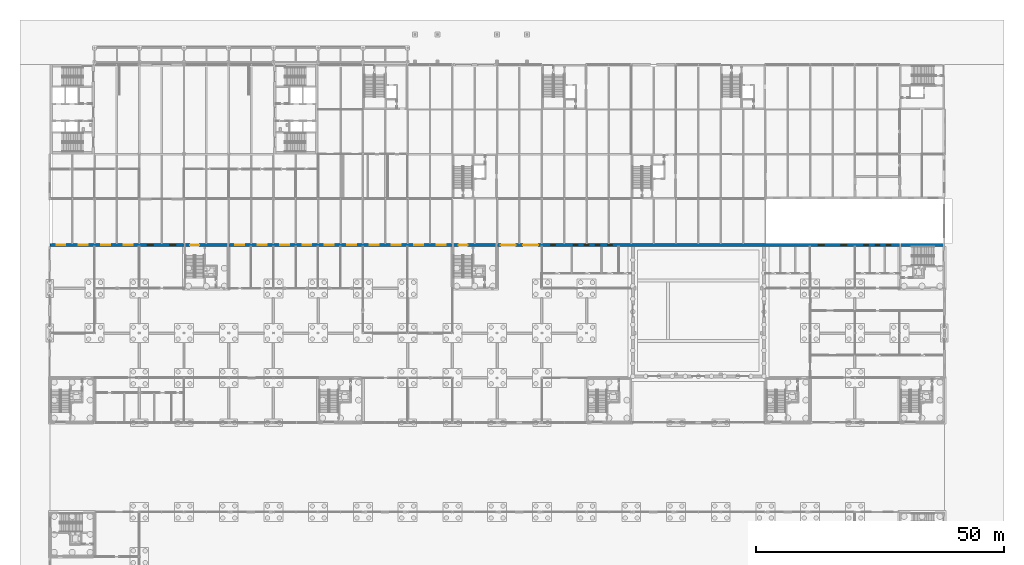
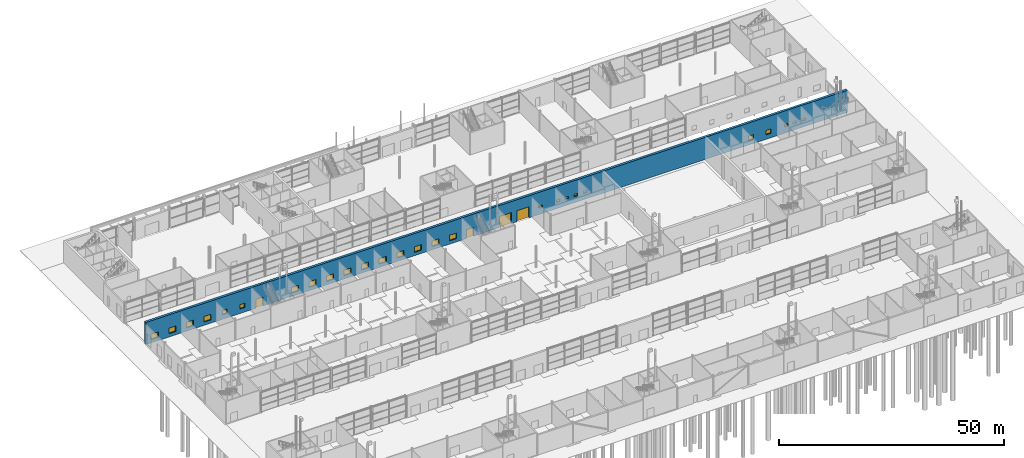
# One storey, part 70 of 97: 26 windows, 4 doors, 1 wall, 30 openings.
"""IFC4 building model written with IfcOpenShell, lengths in metres."""

from ifc_helpers import new_model, si_unit, direction, frame, frame_2d, origin, place, context, subcontext, project, spatial, rectangle, extrude, material, layer, layer_set, type_object, element, fill, save


model = new_model("IFC4")

# Units and contexts
model_context = context("Model", 3, precision=1e-05, world=origin(), true_north=direction((0.0, 1.0)))
body_context = subcontext(model_context, "Body", "Model", "MODEL_VIEW")
ifc_project = project(units=[si_unit("LENGTHUNIT", "METRE"), si_unit("AREAUNIT", "SQUARE_METRE"), si_unit("VOLUMEUNIT", "CUBIC_METRE"), si_unit("PLANEANGLEUNIT", "RADIAN"), si_unit("MASSUNIT", "GRAM", prefix="KILO")], contexts=[model_context])

# Site, building, storey
site_placement = place(None, origin())
site = spatial("IfcSite", under=ifc_project, at=site_placement, CompositionType="ELEMENT")
building_placement = place(site_placement, origin())
building = spatial("IfcBuilding", under=site, at=building_placement, Name="Corbel Yard City Hall", CompositionType="ELEMENT")
storey_placement = place(building_placement, origin())
storey = spatial("IfcBuildingStorey", under=building, at=storey_placement, Name="L00", CompositionType="ELEMENT", Elevation=0.0)

# Wall, openings, windows, doors
ifc_material_1 = material(Name="Concrete N50 (50 MPa)", Category="concrete")
ifc_layer = layer(ifc_material_1, 0.60009765625)
ifc_layer_set = layer_set([ifc_layer], Name="Concrete N50 (50 MPa)")
wall_type = type_object("IfcWallType", Name="Bearing wall 600", PredefinedType="SHEAR", material=ifc_layer_set)
wall_placement = place(storey_placement, frame((0.0, 80.699951171875, 0.0), z_axis=(0.0, 0.0, 1.0), x_axis=(1.0, 0.0, 0.0)))
wall = element("IfcWall", 1, at=wall_placement, inside=storey, type_object=wall_type, Name="Bearing wall L00", PredefinedType="SHEAR", context=body_context, shape_type="SweptSolid", body=[
    extrude(rectangle(XDim=180.0, YDim=0.60009765625, at=frame_2d((90.0, 0.0))), origin(), (0.0, 0.0, 1.0), 6.0),
])
opening_1_placement = place(wall_placement, frame((28.25, 0.0, 0.0)))
opening_1 = element("IfcOpeningElement", 2, at=opening_1_placement, cuts=wall, Name="Opening L00-039", PredefinedType="OPENING", context=body_context, shape_type="SweptSolid", body=[
    extrude(rectangle(XDim=1.800048828125, YDim=2.39990234375, at=frame_2d((0.89990234375, 1.199951171875))), frame((0.0, 0.31005859375, 0.0), z_axis=(0.0, -1.0, 0.0), x_axis=(1.0, 0.0, 0.0)), (0.0, 0.0, 1.0), 0.6201171875),
])
opening_2_placement = place(wall_placement, frame((82.25, 0.0, 0.0)))
opening_2 = element("IfcOpeningElement", 3, at=opening_2_placement, cuts=wall, Name="Opening L00-041", PredefinedType="OPENING", context=body_context, shape_type="SweptSolid", body=[
    extrude(rectangle(XDim=1.800048828125, YDim=2.39990234375, at=frame_2d((0.89990234375, 1.199951171875))), frame((0.0, 0.31005859375, 0.0), z_axis=(0.0, -1.0, 0.0), x_axis=(1.0, 0.0, 0.0)), (0.0, 0.0, 1.0), 0.6201171875),
])
opening_3_placement = place(wall_placement, frame((90.75, 0.0, 0.0)))
opening_3 = element("IfcOpeningElement", 4, at=opening_3_placement, cuts=wall, Name="Opening L00-053", PredefinedType="OPENING", context=body_context, shape_type="SweptSolid", body=[
    extrude(rectangle(XDim=3.0, YDim=3.0, at=frame_2d((1.5, 1.5))), frame((0.0, 0.31005859375, 0.0), z_axis=(0.0, -1.0, 0.0), x_axis=(1.0, 0.0, 0.0)), (0.0, 0.0, 1.0), 0.6201171875),
])
opening_4_placement = place(wall_placement, frame((95.25, 0.0, 0.0)))
opening_4 = element("IfcOpeningElement", 5, at=opening_4_placement, cuts=wall, Name="Opening L00-054", PredefinedType="OPENING", context=body_context, shape_type="SweptSolid", body=[
    extrude(rectangle(XDim=3.0, YDim=3.0, at=frame_2d((1.5, 1.5))), frame((0.0, 0.31005859375, 0.0), z_axis=(0.0, -1.0, 0.0), x_axis=(1.0, 0.0, 0.0)), (0.0, 0.0, 1.0), 0.6201171875),
])
opening_5_placement = place(wall_placement, frame((1.35009765625, 0.0, 0.89990234375)))
opening_5 = element("IfcOpeningElement", 6, at=opening_5_placement, cuts=wall, Name="Opening WN4", PredefinedType="OPENING", context=body_context, shape_type="SweptSolid", body=[
    extrude(rectangle(XDim=1.800048828125, YDim=1.5, at=frame_2d((0.89990234375, 0.75))), frame((0.0, 0.31005859375, 0.0), z_axis=(0.0, -1.0, 0.0), x_axis=(1.0, 0.0, 0.0)), (0.0, 0.0, 1.0), 0.6201171875),
])
opening_6_placement = place(wall_placement, frame((5.85009765625, 0.0, 0.89990234375)))
opening_6 = element("IfcOpeningElement", 7, at=opening_6_placement, cuts=wall, Name="Opening WN4", PredefinedType="OPENING", context=body_context, shape_type="SweptSolid", body=[
    extrude(rectangle(XDim=1.800048828125, YDim=1.5, at=frame_2d((0.89990234375, 0.75))), frame((0.0, 0.31005859375, 0.0), z_axis=(0.0, -1.0, 0.0), x_axis=(1.0, 0.0, 0.0)), (0.0, 0.0, 1.0), 0.6201171875),
])
opening_7_placement = place(wall_placement, frame((10.35009765625, 0.0, 0.89990234375)))
opening_7 = element("IfcOpeningElement", 8, at=opening_7_placement, cuts=wall, Name="Opening WN4", PredefinedType="OPENING", context=body_context, shape_type="SweptSolid", body=[
    extrude(rectangle(XDim=1.800048828125, YDim=1.5, at=frame_2d((0.89990234375, 0.75))), frame((0.0, 0.31005859375, 0.0), z_axis=(0.0, -1.0, 0.0), x_axis=(1.0, 0.0, 0.0)), (0.0, 0.0, 1.0), 0.6201171875),
])
opening_8_placement = place(wall_placement, frame((14.85009765625, 0.0, 0.89990234375)))
opening_8 = element("IfcOpeningElement", 9, at=opening_8_placement, cuts=wall, Name="Opening WN4", PredefinedType="OPENING", context=body_context, shape_type="SweptSolid", body=[
    extrude(rectangle(XDim=1.800048828125, YDim=1.5, at=frame_2d((0.89990234375, 0.75))), frame((0.0, 0.31005859375, 0.0), z_axis=(0.0, -1.0, 0.0), x_axis=(1.0, 0.0, 0.0)), (0.0, 0.0, 1.0), 0.6201171875),
])
opening_9_placement = place(wall_placement, frame((19.64990234375, 0.0, 1.199951171875)))
opening_9 = element("IfcOpeningElement", 10, at=opening_9_placement, cuts=wall, Name="Opening WN13", PredefinedType="OPENING", context=body_context, shape_type="SweptSolid", body=[
    extrude(rectangle(XDim=1.199951171875, YDim=1.199951171875, at=frame_2d((0.60009765625, 0.60009765625))), frame((0.0, 0.31005859375, 0.0), z_axis=(0.0, -1.0, 0.0), x_axis=(1.0, 0.0, 0.0)), (0.0, 0.0, 1.0), 0.6201171875),
])
opening_10_placement = place(wall_placement, frame((24.14990234375, 0.0, 1.199951171875)))
opening_10 = element("IfcOpeningElement", 11, at=opening_10_placement, cuts=wall, Name="Opening WN13", PredefinedType="OPENING", context=body_context, shape_type="SweptSolid", body=[
    extrude(rectangle(XDim=1.199951171875, YDim=1.199951171875, at=frame_2d((0.60009765625, 0.60009765625))), frame((0.0, 0.31005859375, 0.0), z_axis=(0.0, -1.0, 0.0), x_axis=(1.0, 0.0, 0.0)), (0.0, 0.0, 1.0), 0.6201171875),
])
opening_11_placement = place(wall_placement, frame((37.35009765625, 0.0, 0.89990234375)))
opening_11 = element("IfcOpeningElement", 12, at=opening_11_placement, cuts=wall, Name="Opening WN4", PredefinedType="OPENING", context=body_context, shape_type="SweptSolid", body=[
    extrude(rectangle(XDim=1.800048828125, YDim=1.5, at=frame_2d((0.89990234375, 0.75))), frame((0.0, 0.31005859375, 0.0), z_axis=(0.0, -1.0, 0.0), x_axis=(1.0, 0.0, 0.0)), (0.0, 0.0, 1.0), 0.6201171875),
])
opening_12_placement = place(wall_placement, frame((41.85009765625, 0.0, 0.89990234375)))
opening_12 = element("IfcOpeningElement", 13, at=opening_12_placement, cuts=wall, Name="Opening WN4", PredefinedType="OPENING", context=body_context, shape_type="SweptSolid", body=[
    extrude(rectangle(XDim=1.800048828125, YDim=1.5, at=frame_2d((0.89990234375, 0.75))), frame((0.0, 0.31005859375, 0.0), z_axis=(0.0, -1.0, 0.0), x_axis=(1.0, 0.0, 0.0)), (0.0, 0.0, 1.0), 0.6201171875),
])
opening_13_placement = place(wall_placement, frame((46.35009765625, 0.0, 0.89990234375)))
opening_13 = element("IfcOpeningElement", 14, at=opening_13_placement, cuts=wall, Name="Opening WN4", PredefinedType="OPENING", context=body_context, shape_type="SweptSolid", body=[
    extrude(rectangle(XDim=1.800048828125, YDim=1.5, at=frame_2d((0.89990234375, 0.75))), frame((0.0, 0.31005859375, 0.0), z_axis=(0.0, -1.0, 0.0), x_axis=(1.0, 0.0, 0.0)), (0.0, 0.0, 1.0), 0.6201171875),
])
opening_14_placement = place(wall_placement, frame((50.85009765625, 0.0, 0.89990234375)))
opening_14 = element("IfcOpeningElement", 15, at=opening_14_placement, cuts=wall, Name="Opening WN4", PredefinedType="OPENING", context=body_context, shape_type="SweptSolid", body=[
    extrude(rectangle(XDim=1.800048828125, YDim=1.5, at=frame_2d((0.89990234375, 0.75))), frame((0.0, 0.31005859375, 0.0), z_axis=(0.0, -1.0, 0.0), x_axis=(1.0, 0.0, 0.0)), (0.0, 0.0, 1.0), 0.6201171875),
])
opening_15_placement = place(wall_placement, frame((55.35009765625, 0.0, 0.89990234375)))
opening_15 = element("IfcOpeningElement", 16, at=opening_15_placement, cuts=wall, Name="Opening WN4", PredefinedType="OPENING", context=body_context, shape_type="SweptSolid", body=[
    extrude(rectangle(XDim=1.800048828125, YDim=1.5, at=frame_2d((0.89990234375, 0.75))), frame((0.0, 0.31005859375, 0.0), z_axis=(0.0, -1.0, 0.0), x_axis=(1.0, 0.0, 0.0)), (0.0, 0.0, 1.0), 0.6201171875),
])
opening_16_placement = place(wall_placement, frame((59.85009765625, 0.0, 0.89990234375)))
opening_16 = element("IfcOpeningElement", 17, at=opening_16_placement, cuts=wall, Name="Opening WN4", PredefinedType="OPENING", context=body_context, shape_type="SweptSolid", body=[
    extrude(rectangle(XDim=1.800048828125, YDim=1.5, at=frame_2d((0.89990234375, 0.75))), frame((0.0, 0.31005859375, 0.0), z_axis=(0.0, -1.0, 0.0), x_axis=(1.0, 0.0, 0.0)), (0.0, 0.0, 1.0), 0.6201171875),
])
opening_17_placement = place(wall_placement, frame((64.35009765625, 0.0, 0.89990234375)))
opening_17 = element("IfcOpeningElement", 18, at=opening_17_placement, cuts=wall, Name="Opening WN4", PredefinedType="OPENING", context=body_context, shape_type="SweptSolid", body=[
    extrude(rectangle(XDim=1.800048828125, YDim=1.5, at=frame_2d((0.89990234375, 0.75))), frame((0.0, 0.31005859375, 0.0), z_axis=(0.0, -1.0, 0.0), x_axis=(1.0, 0.0, 0.0)), (0.0, 0.0, 1.0), 0.6201171875),
])
opening_18_placement = place(wall_placement, frame((68.85009765625, 0.0, 0.89990234375)))
opening_18 = element("IfcOpeningElement", 19, at=opening_18_placement, cuts=wall, Name="Opening WN4", PredefinedType="OPENING", context=body_context, shape_type="SweptSolid", body=[
    extrude(rectangle(XDim=1.800048828125, YDim=1.5, at=frame_2d((0.89990234375, 0.75))), frame((0.0, 0.31005859375, 0.0), z_axis=(0.0, -1.0, 0.0), x_axis=(1.0, 0.0, 0.0)), (0.0, 0.0, 1.0), 0.6201171875),
])
opening_19_placement = place(wall_placement, frame((73.35009765625, 0.0, 0.89990234375)))
opening_19 = element("IfcOpeningElement", 20, at=opening_19_placement, cuts=wall, Name="Opening WN4", PredefinedType="OPENING", context=body_context, shape_type="SweptSolid", body=[
    extrude(rectangle(XDim=1.800048828125, YDim=1.5, at=frame_2d((0.89990234375, 0.75))), frame((0.0, 0.31005859375, 0.0), z_axis=(0.0, -1.0, 0.0), x_axis=(1.0, 0.0, 0.0)), (0.0, 0.0, 1.0), 0.6201171875),
])
opening_20_placement = place(wall_placement, frame((77.85009765625, 0.0, 0.89990234375)))
opening_20 = element("IfcOpeningElement", 21, at=opening_20_placement, cuts=wall, Name="Opening WN4", PredefinedType="OPENING", context=body_context, shape_type="SweptSolid", body=[
    extrude(rectangle(XDim=1.800048828125, YDim=1.5, at=frame_2d((0.89990234375, 0.75))), frame((0.0, 0.31005859375, 0.0), z_axis=(0.0, -1.0, 0.0), x_axis=(1.0, 0.0, 0.0)), (0.0, 0.0, 1.0), 0.6201171875),
])
opening_21_placement = place(wall_placement, frame((100.800048828125, 0.0, 1.699951171875)))
opening_21 = element("IfcOpeningElement", 22, at=opening_21_placement, cuts=wall, Name="Opening WN10", PredefinedType="OPENING", context=body_context, shape_type="SweptSolid", body=[
    extrude(rectangle(XDim=0.89990234375, YDim=0.60009765625, at=frame_2d((0.449951171875, 0.300048828125))), frame((0.0, 0.31005859375, 0.0), z_axis=(0.0, -1.0, 0.0), x_axis=(1.0, 0.0, 0.0)), (0.0, 0.0, 1.0), 0.6201171875),
])
opening_22_placement = place(wall_placement, frame((105.300048828125, 0.0, 1.699951171875)))
opening_22 = element("IfcOpeningElement", 23, at=opening_22_placement, cuts=wall, Name="Opening WN10", PredefinedType="OPENING", context=body_context, shape_type="SweptSolid", body=[
    extrude(rectangle(XDim=0.89990234375, YDim=0.60009765625, at=frame_2d((0.449951171875, 0.300048828125))), frame((0.0, 0.31005859375, 0.0), z_axis=(0.0, -1.0, 0.0), x_axis=(1.0, 0.0, 0.0)), (0.0, 0.0, 1.0), 0.6201171875),
])
opening_23_placement = place(wall_placement, frame((109.800048828125, 0.0, 1.699951171875)))
opening_23 = element("IfcOpeningElement", 24, at=opening_23_placement, cuts=wall, Name="Opening WN10", PredefinedType="OPENING", context=body_context, shape_type="SweptSolid", body=[
    extrude(rectangle(XDim=0.89990234375, YDim=0.60009765625, at=frame_2d((0.449951171875, 0.300048828125))), frame((0.0, 0.31005859375, 0.0), z_axis=(0.0, -1.0, 0.0), x_axis=(1.0, 0.0, 0.0)), (0.0, 0.0, 1.0), 0.6201171875),
])
opening_24_placement = place(wall_placement, frame((154.64990234375, 0.0, 1.199951171875)))
opening_24 = element("IfcOpeningElement", 25, at=opening_24_placement, cuts=wall, Name="Opening WN13", PredefinedType="OPENING", context=body_context, shape_type="SweptSolid", body=[
    extrude(rectangle(XDim=1.199951171875, YDim=1.199951171875, at=frame_2d((0.60009765625, 0.60009765625))), frame((0.0, 0.31005859375, 0.0), z_axis=(0.0, -1.0, 0.0), x_axis=(1.0, 0.0, 0.0)), (0.0, 0.0, 1.0), 0.6201171875),
])
opening_25_placement = place(wall_placement, frame((159.14990234375, 0.0, 1.199951171875)))
opening_25 = element("IfcOpeningElement", 26, at=opening_25_placement, cuts=wall, Name="Opening WN13", PredefinedType="OPENING", context=body_context, shape_type="SweptSolid", body=[
    extrude(rectangle(XDim=1.199951171875, YDim=1.199951171875, at=frame_2d((0.60009765625, 0.60009765625))), frame((0.0, 0.31005859375, 0.0), z_axis=(0.0, -1.0, 0.0), x_axis=(1.0, 0.0, 0.0)), (0.0, 0.0, 1.0), 0.6201171875),
])
opening_26_placement = place(wall_placement, frame((163.800048828125, 0.0, 1.699951171875)))
opening_26 = element("IfcOpeningElement", 27, at=opening_26_placement, cuts=wall, Name="Opening WN10", PredefinedType="OPENING", context=body_context, shape_type="SweptSolid", body=[
    extrude(rectangle(XDim=0.89990234375, YDim=0.60009765625, at=frame_2d((0.449951171875, 0.300048828125))), frame((0.0, 0.31005859375, 0.0), z_axis=(0.0, -1.0, 0.0), x_axis=(1.0, 0.0, 0.0)), (0.0, 0.0, 1.0), 0.6201171875),
])
opening_27_placement = place(wall_placement, frame((168.300048828125, 0.0, 1.699951171875)))
opening_27 = element("IfcOpeningElement", 28, at=opening_27_placement, cuts=wall, Name="Opening WN10", PredefinedType="OPENING", context=body_context, shape_type="SweptSolid", body=[
    extrude(rectangle(XDim=0.89990234375, YDim=0.60009765625, at=frame_2d((0.449951171875, 0.300048828125))), frame((0.0, 0.31005859375, 0.0), z_axis=(0.0, -1.0, 0.0), x_axis=(1.0, 0.0, 0.0)), (0.0, 0.0, 1.0), 0.6201171875),
])
opening_28_placement = place(wall_placement, frame((107.550048828125, 0.0, 1.699951171875)))
opening_28 = element("IfcOpeningElement", 29, at=opening_28_placement, cuts=wall, Name="Opening WN10", PredefinedType="OPENING", context=body_context, shape_type="SweptSolid", body=[
    extrude(rectangle(XDim=0.89990234375, YDim=0.60009765625, at=frame_2d((0.449951171875, 0.300048828125))), frame((0.0, 0.31005859375, 0.0), z_axis=(0.0, -1.0, 0.0), x_axis=(1.0, 0.0, 0.0)), (0.0, 0.0, 1.0), 0.6201171875),
])
opening_29_placement = place(wall_placement, frame((112.300048828125, 0.0, 1.699951171875)))
opening_29 = element("IfcOpeningElement", 30, at=opening_29_placement, cuts=wall, Name="Opening WN10", PredefinedType="OPENING", context=body_context, shape_type="SweptSolid", body=[
    extrude(rectangle(XDim=0.89990234375, YDim=0.60009765625, at=frame_2d((0.449951171875, 0.300048828125))), frame((0.0, 0.31005859375, 0.0), z_axis=(0.0, -1.0, 0.0), x_axis=(1.0, 0.0, 0.0)), (0.0, 0.0, 1.0), 0.6201171875),
])
opening_30_placement = place(wall_placement, frame((166.050048828125, 0.0, 1.699951171875)))
opening_30 = element("IfcOpeningElement", 31, at=opening_30_placement, cuts=wall, Name="Opening WN10", PredefinedType="OPENING", context=body_context, shape_type="SweptSolid", body=[
    extrude(rectangle(XDim=0.89990234375, YDim=0.60009765625, at=frame_2d((0.449951171875, 0.300048828125))), frame((0.0, 0.31005859375, 0.0), z_axis=(0.0, -1.0, 0.0), x_axis=(1.0, 0.0, 0.0)), (0.0, 0.0, 1.0), 0.6201171875),
])
ifc_material_2 = material(Name="Aluminium frame, obscure laminated glass", Category="aluminium")
window_type_1 = type_object("IfcWindowType", Name="WN10", PartitioningType="SINGLE_PANEL", PredefinedType="WINDOW", material=ifc_material_2)
window_1_placement = place(opening_21_placement, origin())
window_1 = element("IfcWindow", 32, at=window_1_placement, inside=storey, type_object=window_type_1, Name="Window WN10 L00", OverallHeight=0.60009765625, OverallWidth=0.89990234375, PartitioningType="SINGLE_PANEL", PredefinedType="WINDOW", context=body_context, shape_type="SweptSolid", body=[
    extrude(rectangle(XDim=0.89990234375, YDim=0.60009765625, at=frame_2d((0.449951171875, 0.300048828125))), frame((0.0, 0.030029296875, 0.0), z_axis=(0.0, -1.0, 0.0), x_axis=(1.0, 0.0, 0.0)), (0.0, 0.0, 1.0), 0.06005859375),
])
fill(opening_21, window_1)
window_2_placement = place(opening_22_placement, origin())
window_2 = element("IfcWindow", 33, at=window_2_placement, inside=storey, type_object=window_type_1, Name="Window WN10 L00", OverallHeight=0.60009765625, OverallWidth=0.89990234375, PartitioningType="SINGLE_PANEL", PredefinedType="WINDOW", context=body_context, shape_type="SweptSolid", body=[
    extrude(rectangle(XDim=0.89990234375, YDim=0.60009765625, at=frame_2d((0.449951171875, 0.300048828125))), frame((0.0, 0.030029296875, 0.0), z_axis=(0.0, -1.0, 0.0), x_axis=(1.0, 0.0, 0.0)), (0.0, 0.0, 1.0), 0.06005859375),
])
fill(opening_22, window_2)
window_3_placement = place(opening_23_placement, origin())
window_3 = element("IfcWindow", 34, at=window_3_placement, inside=storey, type_object=window_type_1, Name="Window WN10 L00", OverallHeight=0.60009765625, OverallWidth=0.89990234375, PartitioningType="SINGLE_PANEL", PredefinedType="WINDOW", context=body_context, shape_type="SweptSolid", body=[
    extrude(rectangle(XDim=0.89990234375, YDim=0.60009765625, at=frame_2d((0.449951171875, 0.300048828125))), frame((0.0, 0.030029296875, 0.0), z_axis=(0.0, -1.0, 0.0), x_axis=(1.0, 0.0, 0.0)), (0.0, 0.0, 1.0), 0.06005859375),
])
fill(opening_23, window_3)
window_4_placement = place(opening_26_placement, origin())
window_4 = element("IfcWindow", 35, at=window_4_placement, inside=storey, type_object=window_type_1, Name="Window WN10 L00", OverallHeight=0.60009765625, OverallWidth=0.89990234375, PartitioningType="SINGLE_PANEL", PredefinedType="WINDOW", context=body_context, shape_type="SweptSolid", body=[
    extrude(rectangle(XDim=0.89990234375, YDim=0.60009765625, at=frame_2d((0.449951171875, 0.300048828125))), frame((0.0, 0.030029296875, 0.0), z_axis=(0.0, -1.0, 0.0), x_axis=(1.0, 0.0, 0.0)), (0.0, 0.0, 1.0), 0.06005859375),
])
fill(opening_26, window_4)
window_5_placement = place(opening_27_placement, origin())
window_5 = element("IfcWindow", 36, at=window_5_placement, inside=storey, type_object=window_type_1, Name="Window WN10 L00", OverallHeight=0.60009765625, OverallWidth=0.89990234375, PartitioningType="SINGLE_PANEL", PredefinedType="WINDOW", context=body_context, shape_type="SweptSolid", body=[
    extrude(rectangle(XDim=0.89990234375, YDim=0.60009765625, at=frame_2d((0.449951171875, 0.300048828125))), frame((0.0, 0.030029296875, 0.0), z_axis=(0.0, -1.0, 0.0), x_axis=(1.0, 0.0, 0.0)), (0.0, 0.0, 1.0), 0.06005859375),
])
fill(opening_27, window_5)
window_6_placement = place(opening_28_placement, origin())
window_6 = element("IfcWindow", 37, at=window_6_placement, inside=storey, type_object=window_type_1, Name="Window WN10 L00", OverallHeight=0.60009765625, OverallWidth=0.89990234375, PartitioningType="SINGLE_PANEL", PredefinedType="WINDOW", context=body_context, shape_type="SweptSolid", body=[
    extrude(rectangle(XDim=0.89990234375, YDim=0.60009765625, at=frame_2d((0.449951171875, 0.300048828125))), frame((0.0, 0.030029296875, 0.0), z_axis=(0.0, -1.0, 0.0), x_axis=(1.0, 0.0, 0.0)), (0.0, 0.0, 1.0), 0.06005859375),
])
fill(opening_28, window_6)
window_7_placement = place(opening_29_placement, origin())
window_7 = element("IfcWindow", 38, at=window_7_placement, inside=storey, type_object=window_type_1, Name="Window WN10 L00", OverallHeight=0.60009765625, OverallWidth=0.89990234375, PartitioningType="SINGLE_PANEL", PredefinedType="WINDOW", context=body_context, shape_type="SweptSolid", body=[
    extrude(rectangle(XDim=0.89990234375, YDim=0.60009765625, at=frame_2d((0.449951171875, 0.300048828125))), frame((0.0, 0.030029296875, 0.0), z_axis=(0.0, -1.0, 0.0), x_axis=(1.0, 0.0, 0.0)), (0.0, 0.0, 1.0), 0.06005859375),
])
fill(opening_29, window_7)
window_8_placement = place(opening_30_placement, origin())
window_8 = element("IfcWindow", 39, at=window_8_placement, inside=storey, type_object=window_type_1, Name="Window WN10 L00", OverallHeight=0.60009765625, OverallWidth=0.89990234375, PartitioningType="SINGLE_PANEL", PredefinedType="WINDOW", context=body_context, shape_type="SweptSolid", body=[
    extrude(rectangle(XDim=0.89990234375, YDim=0.60009765625, at=frame_2d((0.449951171875, 0.300048828125))), frame((0.0, 0.030029296875, 0.0), z_axis=(0.0, -1.0, 0.0), x_axis=(1.0, 0.0, 0.0)), (0.0, 0.0, 1.0), 0.06005859375),
])
fill(opening_30, window_8)
ifc_material_3 = material(Name="Aluminium frame, double glazed low-e glass", Category="aluminium")
window_type_2 = type_object("IfcWindowType", Name="WN13", PartitioningType="SINGLE_PANEL", PredefinedType="WINDOW", material=ifc_material_3)
window_9_placement = place(opening_9_placement, origin())
window_9 = element("IfcWindow", 40, at=window_9_placement, inside=storey, type_object=window_type_2, Name="Window WN13 L00", OverallHeight=1.199951171875, OverallWidth=1.199951171875, PartitioningType="SINGLE_PANEL", PredefinedType="WINDOW", context=body_context, shape_type="SweptSolid", body=[
    extrude(rectangle(XDim=1.199951171875, YDim=1.199951171875, at=frame_2d((0.60009765625, 0.60009765625))), frame((0.0, 0.030029296875, 0.0), z_axis=(0.0, -1.0, 0.0), x_axis=(1.0, 0.0, 0.0)), (0.0, 0.0, 1.0), 0.06005859375),
])
fill(opening_9, window_9)
window_10_placement = place(opening_10_placement, origin())
window_10 = element("IfcWindow", 41, at=window_10_placement, inside=storey, type_object=window_type_2, Name="Window WN13 L00", OverallHeight=1.199951171875, OverallWidth=1.199951171875, PartitioningType="SINGLE_PANEL", PredefinedType="WINDOW", context=body_context, shape_type="SweptSolid", body=[
    extrude(rectangle(XDim=1.199951171875, YDim=1.199951171875, at=frame_2d((0.60009765625, 0.60009765625))), frame((0.0, 0.030029296875, 0.0), z_axis=(0.0, -1.0, 0.0), x_axis=(1.0, 0.0, 0.0)), (0.0, 0.0, 1.0), 0.06005859375),
])
fill(opening_10, window_10)
window_11_placement = place(opening_24_placement, origin())
window_11 = element("IfcWindow", 42, at=window_11_placement, inside=storey, type_object=window_type_2, Name="Window WN13 L00", OverallHeight=1.199951171875, OverallWidth=1.199951171875, PartitioningType="SINGLE_PANEL", PredefinedType="WINDOW", context=body_context, shape_type="SweptSolid", body=[
    extrude(rectangle(XDim=1.199951171875, YDim=1.199951171875, at=frame_2d((0.60009765625, 0.60009765625))), frame((0.0, 0.030029296875, 0.0), z_axis=(0.0, -1.0, 0.0), x_axis=(1.0, 0.0, 0.0)), (0.0, 0.0, 1.0), 0.06005859375),
])
fill(opening_24, window_11)
window_12_placement = place(opening_25_placement, origin())
window_12 = element("IfcWindow", 43, at=window_12_placement, inside=storey, type_object=window_type_2, Name="Window WN13 L00", OverallHeight=1.199951171875, OverallWidth=1.199951171875, PartitioningType="SINGLE_PANEL", PredefinedType="WINDOW", context=body_context, shape_type="SweptSolid", body=[
    extrude(rectangle(XDim=1.199951171875, YDim=1.199951171875, at=frame_2d((0.60009765625, 0.60009765625))), frame((0.0, 0.030029296875, 0.0), z_axis=(0.0, -1.0, 0.0), x_axis=(1.0, 0.0, 0.0)), (0.0, 0.0, 1.0), 0.06005859375),
])
fill(opening_25, window_12)
window_type_3 = type_object("IfcWindowType", Name="WN4", PartitioningType="SINGLE_PANEL", PredefinedType="WINDOW", material=ifc_material_3)
window_13_placement = place(opening_5_placement, origin())
window_13 = element("IfcWindow", 44, at=window_13_placement, inside=storey, type_object=window_type_3, Name="Window WN4 L00", OverallHeight=1.5, OverallWidth=1.800048828125, PartitioningType="SINGLE_PANEL", PredefinedType="WINDOW", context=body_context, shape_type="SweptSolid", body=[
    extrude(rectangle(XDim=1.800048828125, YDim=1.5, at=frame_2d((0.89990234375, 0.75))), frame((0.0, 0.030029296875, 0.0), z_axis=(0.0, -1.0, 0.0), x_axis=(1.0, 0.0, 0.0)), (0.0, 0.0, 1.0), 0.06005859375),
])
fill(opening_5, window_13)
window_14_placement = place(opening_6_placement, origin())
window_14 = element("IfcWindow", 45, at=window_14_placement, inside=storey, type_object=window_type_3, Name="Window WN4 L00", OverallHeight=1.5, OverallWidth=1.800048828125, PartitioningType="SINGLE_PANEL", PredefinedType="WINDOW", context=body_context, shape_type="SweptSolid", body=[
    extrude(rectangle(XDim=1.800048828125, YDim=1.5, at=frame_2d((0.89990234375, 0.75))), frame((0.0, 0.030029296875, 0.0), z_axis=(0.0, -1.0, 0.0), x_axis=(1.0, 0.0, 0.0)), (0.0, 0.0, 1.0), 0.06005859375),
])
fill(opening_6, window_14)
window_15_placement = place(opening_7_placement, origin())
window_15 = element("IfcWindow", 46, at=window_15_placement, inside=storey, type_object=window_type_3, Name="Window WN4 L00", OverallHeight=1.5, OverallWidth=1.800048828125, PartitioningType="SINGLE_PANEL", PredefinedType="WINDOW", context=body_context, shape_type="SweptSolid", body=[
    extrude(rectangle(XDim=1.800048828125, YDim=1.5, at=frame_2d((0.89990234375, 0.75))), frame((0.0, 0.030029296875, 0.0), z_axis=(0.0, -1.0, 0.0), x_axis=(1.0, 0.0, 0.0)), (0.0, 0.0, 1.0), 0.06005859375),
])
fill(opening_7, window_15)
window_16_placement = place(opening_8_placement, origin())
window_16 = element("IfcWindow", 47, at=window_16_placement, inside=storey, type_object=window_type_3, Name="Window WN4 L00", OverallHeight=1.5, OverallWidth=1.800048828125, PartitioningType="SINGLE_PANEL", PredefinedType="WINDOW", context=body_context, shape_type="SweptSolid", body=[
    extrude(rectangle(XDim=1.800048828125, YDim=1.5, at=frame_2d((0.89990234375, 0.75))), frame((0.0, 0.030029296875, 0.0), z_axis=(0.0, -1.0, 0.0), x_axis=(1.0, 0.0, 0.0)), (0.0, 0.0, 1.0), 0.06005859375),
])
fill(opening_8, window_16)
window_17_placement = place(opening_11_placement, origin())
window_17 = element("IfcWindow", 48, at=window_17_placement, inside=storey, type_object=window_type_3, Name="Window WN4 L00", OverallHeight=1.5, OverallWidth=1.800048828125, PartitioningType="SINGLE_PANEL", PredefinedType="WINDOW", context=body_context, shape_type="SweptSolid", body=[
    extrude(rectangle(XDim=1.800048828125, YDim=1.5, at=frame_2d((0.89990234375, 0.75))), frame((0.0, 0.030029296875, 0.0), z_axis=(0.0, -1.0, 0.0), x_axis=(1.0, 0.0, 0.0)), (0.0, 0.0, 1.0), 0.06005859375),
])
fill(opening_11, window_17)
window_18_placement = place(opening_12_placement, origin())
window_18 = element("IfcWindow", 49, at=window_18_placement, inside=storey, type_object=window_type_3, Name="Window WN4 L00", OverallHeight=1.5, OverallWidth=1.800048828125, PartitioningType="SINGLE_PANEL", PredefinedType="WINDOW", context=body_context, shape_type="SweptSolid", body=[
    extrude(rectangle(XDim=1.800048828125, YDim=1.5, at=frame_2d((0.89990234375, 0.75))), frame((0.0, 0.030029296875, 0.0), z_axis=(0.0, -1.0, 0.0), x_axis=(1.0, 0.0, 0.0)), (0.0, 0.0, 1.0), 0.06005859375),
])
fill(opening_12, window_18)
window_19_placement = place(opening_13_placement, origin())
window_19 = element("IfcWindow", 50, at=window_19_placement, inside=storey, type_object=window_type_3, Name="Window WN4 L00", OverallHeight=1.5, OverallWidth=1.800048828125, PartitioningType="SINGLE_PANEL", PredefinedType="WINDOW", context=body_context, shape_type="SweptSolid", body=[
    extrude(rectangle(XDim=1.800048828125, YDim=1.5, at=frame_2d((0.89990234375, 0.75))), frame((0.0, 0.030029296875, 0.0), z_axis=(0.0, -1.0, 0.0), x_axis=(1.0, 0.0, 0.0)), (0.0, 0.0, 1.0), 0.06005859375),
])
fill(opening_13, window_19)
window_20_placement = place(opening_14_placement, origin())
window_20 = element("IfcWindow", 51, at=window_20_placement, inside=storey, type_object=window_type_3, Name="Window WN4 L00", OverallHeight=1.5, OverallWidth=1.800048828125, PartitioningType="SINGLE_PANEL", PredefinedType="WINDOW", context=body_context, shape_type="SweptSolid", body=[
    extrude(rectangle(XDim=1.800048828125, YDim=1.5, at=frame_2d((0.89990234375, 0.75))), frame((0.0, 0.030029296875, 0.0), z_axis=(0.0, -1.0, 0.0), x_axis=(1.0, 0.0, 0.0)), (0.0, 0.0, 1.0), 0.06005859375),
])
fill(opening_14, window_20)
window_21_placement = place(opening_15_placement, origin())
window_21 = element("IfcWindow", 52, at=window_21_placement, inside=storey, type_object=window_type_3, Name="Window WN4 L00", OverallHeight=1.5, OverallWidth=1.800048828125, PartitioningType="SINGLE_PANEL", PredefinedType="WINDOW", context=body_context, shape_type="SweptSolid", body=[
    extrude(rectangle(XDim=1.800048828125, YDim=1.5, at=frame_2d((0.89990234375, 0.75))), frame((0.0, 0.030029296875, 0.0), z_axis=(0.0, -1.0, 0.0), x_axis=(1.0, 0.0, 0.0)), (0.0, 0.0, 1.0), 0.06005859375),
])
fill(opening_15, window_21)
window_22_placement = place(opening_16_placement, origin())
window_22 = element("IfcWindow", 53, at=window_22_placement, inside=storey, type_object=window_type_3, Name="Window WN4 L00", OverallHeight=1.5, OverallWidth=1.800048828125, PartitioningType="SINGLE_PANEL", PredefinedType="WINDOW", context=body_context, shape_type="SweptSolid", body=[
    extrude(rectangle(XDim=1.800048828125, YDim=1.5, at=frame_2d((0.89990234375, 0.75))), frame((0.0, 0.030029296875, 0.0), z_axis=(0.0, -1.0, 0.0), x_axis=(1.0, 0.0, 0.0)), (0.0, 0.0, 1.0), 0.06005859375),
])
fill(opening_16, window_22)
window_23_placement = place(opening_17_placement, origin())
window_23 = element("IfcWindow", 54, at=window_23_placement, inside=storey, type_object=window_type_3, Name="Window WN4 L00", OverallHeight=1.5, OverallWidth=1.800048828125, PartitioningType="SINGLE_PANEL", PredefinedType="WINDOW", context=body_context, shape_type="SweptSolid", body=[
    extrude(rectangle(XDim=1.800048828125, YDim=1.5, at=frame_2d((0.89990234375, 0.75))), frame((0.0, 0.030029296875, 0.0), z_axis=(0.0, -1.0, 0.0), x_axis=(1.0, 0.0, 0.0)), (0.0, 0.0, 1.0), 0.06005859375),
])
fill(opening_17, window_23)
window_24_placement = place(opening_18_placement, origin())
window_24 = element("IfcWindow", 55, at=window_24_placement, inside=storey, type_object=window_type_3, Name="Window WN4 L00", OverallHeight=1.5, OverallWidth=1.800048828125, PartitioningType="SINGLE_PANEL", PredefinedType="WINDOW", context=body_context, shape_type="SweptSolid", body=[
    extrude(rectangle(XDim=1.800048828125, YDim=1.5, at=frame_2d((0.89990234375, 0.75))), frame((0.0, 0.030029296875, 0.0), z_axis=(0.0, -1.0, 0.0), x_axis=(1.0, 0.0, 0.0)), (0.0, 0.0, 1.0), 0.06005859375),
])
fill(opening_18, window_24)
window_25_placement = place(opening_19_placement, origin())
window_25 = element("IfcWindow", 56, at=window_25_placement, inside=storey, type_object=window_type_3, Name="Window WN4 L00", OverallHeight=1.5, OverallWidth=1.800048828125, PartitioningType="SINGLE_PANEL", PredefinedType="WINDOW", context=body_context, shape_type="SweptSolid", body=[
    extrude(rectangle(XDim=1.800048828125, YDim=1.5, at=frame_2d((0.89990234375, 0.75))), frame((0.0, 0.030029296875, 0.0), z_axis=(0.0, -1.0, 0.0), x_axis=(1.0, 0.0, 0.0)), (0.0, 0.0, 1.0), 0.06005859375),
])
fill(opening_19, window_25)
window_26_placement = place(opening_20_placement, origin())
window_26 = element("IfcWindow", 57, at=window_26_placement, inside=storey, type_object=window_type_3, Name="Window WN4 L00", OverallHeight=1.5, OverallWidth=1.800048828125, PartitioningType="SINGLE_PANEL", PredefinedType="WINDOW", context=body_context, shape_type="SweptSolid", body=[
    extrude(rectangle(XDim=1.800048828125, YDim=1.5, at=frame_2d((0.89990234375, 0.75))), frame((0.0, 0.030029296875, 0.0), z_axis=(0.0, -1.0, 0.0), x_axis=(1.0, 0.0, 0.0)), (0.0, 0.0, 1.0), 0.06005859375),
])
fill(opening_20, window_26)
ifc_material_4 = material(Name="Steel Grade G250, insulated infill", Category="steel")
door_type_1 = type_object("IfcDoorType", Name="XD2", OperationType="DOUBLE_DOOR_SINGLE_SWING", PredefinedType="DOOR", material=ifc_material_4)
door_1_placement = place(opening_1_placement, origin())
door_1 = element("IfcDoor", 58, at=door_1_placement, inside=storey, type_object=door_type_1, Name="Stair exit door PC-M6", OperationType="DOUBLE_DOOR_SINGLE_SWING", OverallHeight=2.39990234375, OverallWidth=1.800048828125, PredefinedType="DOOR", context=body_context, shape_type="SweptSolid", body=[
    extrude(rectangle(XDim=1.800048828125, YDim=2.39990234375, at=frame_2d((0.89990234375, 1.199951171875))), frame((0.0, 0.02490234375, 0.0), z_axis=(0.0, -1.0, 0.0), x_axis=(1.0, 0.0, 0.0)), (0.0, 0.0, 1.0), 0.050048828125),
])
fill(opening_1, door_1)
door_2_placement = place(opening_2_placement, origin())
door_2 = element("IfcDoor", 59, at=door_2_placement, inside=storey, type_object=door_type_1, Name="Stair exit door PC-M7", OperationType="DOUBLE_DOOR_SINGLE_SWING", OverallHeight=2.39990234375, OverallWidth=1.800048828125, PredefinedType="DOOR", context=body_context, shape_type="SweptSolid", body=[
    extrude(rectangle(XDim=1.800048828125, YDim=2.39990234375, at=frame_2d((0.89990234375, 1.199951171875))), frame((0.0, 0.02490234375, 0.0), z_axis=(0.0, -1.0, 0.0), x_axis=(1.0, 0.0, 0.0)), (0.0, 0.0, 1.0), 0.050048828125),
])
fill(opening_2, door_2)
ifc_material_5 = material(Name="Aluminium frame, toughened laminated glass", Category="aluminium")
door_type_2 = type_object("IfcDoorType", Name="XD7", OperationType="DOUBLE_DOOR_SINGLE_SWING", PredefinedType="DOOR", material=ifc_material_5)
door_3_placement = place(opening_3_placement, origin())
door_3 = element("IfcDoor", 60, at=door_3_placement, inside=storey, type_object=door_type_2, Name="Civic Foyer entrance north door 1", OperationType="DOUBLE_DOOR_SINGLE_SWING", OverallHeight=3.0, OverallWidth=3.0, PredefinedType="DOOR", context=body_context, shape_type="SweptSolid", body=[
    extrude(rectangle(XDim=3.0, YDim=3.0, at=frame_2d((1.5, 1.5))), frame((0.0, 0.02490234375, 0.0), z_axis=(0.0, -1.0, 0.0), x_axis=(1.0, 0.0, 0.0)), (0.0, 0.0, 1.0), 0.050048828125),
])
fill(opening_3, door_3)
door_4_placement = place(opening_4_placement, origin())
door_4 = element("IfcDoor", 61, at=door_4_placement, inside=storey, type_object=door_type_2, Name="Civic Foyer entrance north door 2", OperationType="DOUBLE_DOOR_SINGLE_SWING", OverallHeight=3.0, OverallWidth=3.0, PredefinedType="DOOR", context=body_context, shape_type="SweptSolid", body=[
    extrude(rectangle(XDim=3.0, YDim=3.0, at=frame_2d((1.5, 1.5))), frame((0.0, 0.02490234375, 0.0), z_axis=(0.0, -1.0, 0.0), x_axis=(1.0, 0.0, 0.0)), (0.0, 0.0, 1.0), 0.050048828125),
])
fill(opening_4, door_4)

save(model, "model.ifc")
